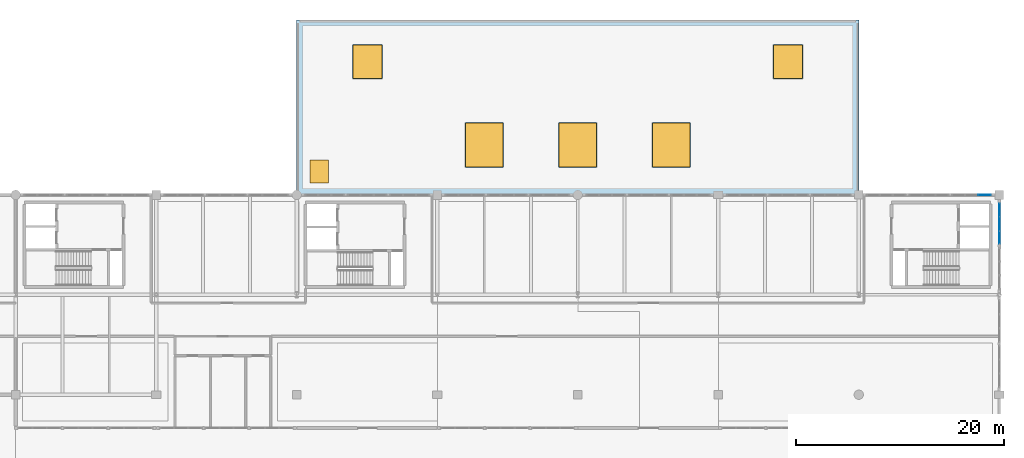
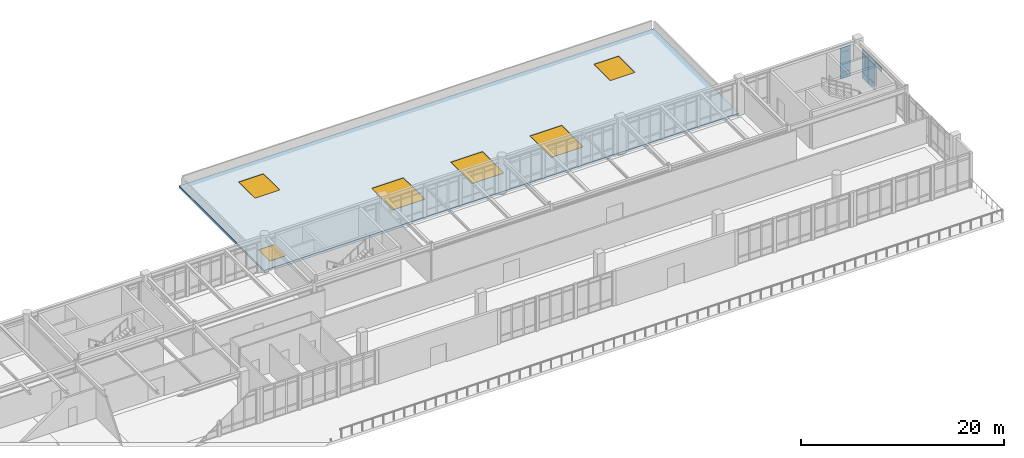
# One storey, part 46 of 55: 10 plates, 6 windows, 1 slab, 6 openings, 2 elements without a shape of their own.
"""IFC4 building model written with IfcOpenShell, lengths in metres."""

from ifc_helpers import new_model, si_unit, direction, frame, origin, origin_2d, place, context, subcontext, project, spatial, polyline, rectangle, outline, extrude, material, layer, layer_set, type_object, element, fill, aggregate, save


model = new_model("IFC4")

# Units and contexts
model_context = context("Model", 3, precision=1e-05, world=origin(), true_north=direction((0.0, 1.0)))
body_context = subcontext(model_context, "Body", "Model", "MODEL_VIEW")
ifc_project = project(units=[si_unit("LENGTHUNIT", "METRE"), si_unit("AREAUNIT", "SQUARE_METRE"), si_unit("VOLUMEUNIT", "CUBIC_METRE"), si_unit("PLANEANGLEUNIT", "RADIAN"), si_unit("MASSUNIT", "GRAM", prefix="KILO")], contexts=[model_context])

# Site, building, storey
site_placement = place(None, origin())
site = spatial("IfcSite", under=ifc_project, at=site_placement, CompositionType="ELEMENT")
building_placement = place(site_placement, origin())
building = spatial("IfcBuilding", under=site, at=building_placement, Name="Fikremerkos Civic Library", CompositionType="ELEMENT")
storey_placement = place(building_placement, frame((0.0, 0.0, 18.89990234375)))
storey = spatial("IfcBuildingStorey", under=building, at=storey_placement, Name="L04", CompositionType="ELEMENT", Elevation=18.89990234375)

# Curtain wall, plates
ifc_material_1 = material(Name="Anodized aluminium Frame", Category="aluminium")
ifc_layer_1 = layer(ifc_material_1, 0.159912109375, Name="Anodized aluminium Frame")
ifc_layer_set_1 = layer_set([ifc_layer_1], Name="Anodized aluminium Frame")
curtain_wall_type_1 = type_object("IfcCurtainWallType", Name="Unitised curtain wall CW-15 2900x3600", PredefinedType="USERDEFINED", material=ifc_layer_set_1)
curtain_wall_1_placement = place(storey_placement, origin())
curtain_wall_1 = element("IfcCurtainWall", 1, at=curtain_wall_1_placement, inside=storey, type_object=curtain_wall_type_1, Name="Unitised curtain wall CW-15 L04 #249", ObjectType="UNITISED CURTAIN WALL", PredefinedType="USERDEFINED")
ifc_material_2 = material(Name="Insulated aluminium spandrel", Category="aluminium")
ifc_layer_2 = layer(ifc_material_2, 0.044921875, Name="Insulated aluminium spandrel")
ifc_layer_set_2 = layer_set([ifc_layer_2], Name="Insulated aluminium spandrel")
plate_type_1 = type_object("IfcPlateType", Name="Curtain spandrel panel CSP-01 45", PredefinedType="CURTAIN_PANEL", material=ifc_layer_set_2)
plate_1_placement = place(storey_placement, frame((112.27978515625, 31.199951171875, 0.070068359375), z_axis=(0.0, 0.0, 1.0), x_axis=(1.0, 0.0, 0.0)))
plate_1 = element("IfcPlate", 2, at=plate_1_placement, type_object=plate_type_1, Name="CW-15 panel 3.1", PredefinedType="CURTAIN_PANEL", context=body_context, shape_type="SweptSolid", body=[
    extrude(rectangle(XDim=1.17431640625, YDim=0.044921875, at=origin_2d()), origin(), (0.0, 0.0, 1.0), 0.7451171875),
])
plate_2_placement = place(storey_placement, frame((112.27978515625, 31.199951171875, 0.885009765625), z_axis=(0.0, 0.0, 1.0), x_axis=(1.0, 0.0, 0.0)))
plate_2 = element("IfcPlate", 3, at=plate_2_placement, type_object=plate_type_1, Name="CW-15 panel 3.2", PredefinedType="CURTAIN_PANEL", context=body_context, shape_type="SweptSolid", body=[
    extrude(rectangle(XDim=1.17431640625, YDim=0.044921875, at=origin_2d()), origin(), (0.0, 0.0, 1.0), 2.3701171875),
])
plate_3_placement = place(storey_placement, frame((112.27978515625, 31.199951171875, 3.3251953125), z_axis=(0.0, 0.0, 1.0), x_axis=(1.0, 0.0, 0.0)))
plate_3 = element("IfcPlate", 4, at=plate_3_placement, type_object=plate_type_1, Name="CW-15 panel 3.3", PredefinedType="CURTAIN_PANEL", context=body_context, shape_type="SweptSolid", body=[
    extrude(rectangle(XDim=1.17431640625, YDim=0.044921875, at=origin_2d()), origin(), (0.0, 0.0, 1.0), 0.445068359375),
])
aggregate(curtain_wall_1, [plate_1, plate_2, plate_3])

ifc_layer_3 = layer(ifc_material_1, 0.159912109375, Name="Anodized aluminium Frame")
ifc_layer_set_3 = layer_set([ifc_layer_3], Name="Anodized aluminium Frame")
curtain_wall_type_2 = type_object("IfcCurtainWallType", Name="Unitised curtain wall CW-12 4300x3400", PredefinedType="USERDEFINED", material=ifc_layer_set_3)
curtain_wall_2_placement = place(storey_placement, origin())
curtain_wall_2 = element("IfcCurtainWall", 5, at=curtain_wall_2_placement, inside=storey, type_object=curtain_wall_type_2, Name="Unitised curtain wall CW-12 L04 #210", ObjectType="UNITISED CURTAIN WALL", PredefinedType="USERDEFINED")
ifc_layer_4 = layer(ifc_material_2, 0.054931640625, Name="Insulated aluminium spandrel")
ifc_layer_set_4 = layer_set([ifc_layer_4], Name="Insulated aluminium spandrel")
plate_type_2 = type_object("IfcPlateType", Name="Curtain spandrel panel CSP-02 55", PredefinedType="CURTAIN_PANEL", material=ifc_layer_set_4)
plate_4_placement = place(storey_placement, frame((113.699951171875, 29.7451171875, 0.065185546875), z_axis=(0.0, 0.0, 1.0), x_axis=(0.0, -1.0, 0.0)))
plate_4 = element("IfcPlate", 6, at=plate_4_placement, type_object=plate_type_2, Name="CW-12 panel 1.1", PredefinedType="CURTAIN_PANEL", context=body_context, shape_type="SweptSolid", body=[
    extrude(rectangle(XDim=1.24365234375, YDim=0.054931640625, at=origin_2d()), origin(), (0.0, 0.0, 1.0), 0.75244140625),
])
plate_5_placement = place(storey_placement, frame((113.699951171875, 29.7451171875, 0.882568359375), z_axis=(0.0, 0.0, 1.0), x_axis=(0.0, -1.0, 0.0)))
plate_5 = element("IfcPlate", 7, at=plate_5_placement, type_object=plate_type_2, Name="CW-12 panel 1.2", PredefinedType="CURTAIN_PANEL", context=body_context, shape_type="SweptSolid", body=[
    extrude(rectangle(XDim=1.24365234375, YDim=0.054931640625, at=origin_2d()), origin(), (0.0, 0.0, 1.0), 2.1650390625),
])
plate_6_placement = place(storey_placement, frame((113.699951171875, 29.7451171875, 3.11279296875), z_axis=(0.0, 0.0, 1.0), x_axis=(0.0, -1.0, 0.0)))
plate_6 = element("IfcPlate", 8, at=plate_6_placement, type_object=plate_type_2, Name="CW-12 panel 1.3", PredefinedType="CURTAIN_PANEL", context=body_context, shape_type="SweptSolid", body=[
    extrude(rectangle(XDim=1.24365234375, YDim=0.054931640625, at=origin_2d()), origin(), (0.0, 0.0, 1.0), 0.452392578125),
])
plate_7_placement = place(storey_placement, frame((113.699951171875, 28.4267578125, 0.065185546875), z_axis=(0.0, 0.0, 1.0), x_axis=(0.0, -1.0, 0.0)))
plate_7 = element("IfcPlate", 9, at=plate_7_placement, type_object=plate_type_2, Name="CW-12 panel 2.1", PredefinedType="CURTAIN_PANEL", context=body_context, shape_type="SweptSolid", body=[
    extrude(rectangle(XDim=1.2734375, YDim=0.054931640625, at=origin_2d()), origin(), (0.0, 0.0, 1.0), 0.75244140625),
])
plate_8_placement = place(storey_placement, frame((113.699951171875, 28.4267578125, 0.882568359375), z_axis=(0.0, 0.0, 1.0), x_axis=(0.0, -1.0, 0.0)))
plate_8 = element("IfcPlate", 10, at=plate_8_placement, type_object=plate_type_2, Name="CW-12 panel 2.2", PredefinedType="CURTAIN_PANEL", context=body_context, shape_type="SweptSolid", body=[
    extrude(rectangle(XDim=1.2734375, YDim=0.054931640625, at=origin_2d()), origin(), (0.0, 0.0, 1.0), 2.1650390625),
])
plate_9_placement = place(storey_placement, frame((113.699951171875, 28.4267578125, 3.11279296875), z_axis=(0.0, 0.0, 1.0), x_axis=(0.0, -1.0, 0.0)))
plate_9 = element("IfcPlate", 11, at=plate_9_placement, type_object=plate_type_2, Name="CW-12 panel 2.3", PredefinedType="CURTAIN_PANEL", context=body_context, shape_type="SweptSolid", body=[
    extrude(rectangle(XDim=1.2734375, YDim=0.054931640625, at=origin_2d()), origin(), (0.0, 0.0, 1.0), 0.452392578125),
])
plate_10_placement = place(storey_placement, frame((113.699951171875, 27.108154296875, 3.11279296875), z_axis=(0.0, 0.0, 1.0), x_axis=(0.0, -1.0, 0.0)))
plate_10 = element("IfcPlate", 12, at=plate_10_placement, type_object=plate_type_2, Name="CW-12 panel 3.3", PredefinedType="CURTAIN_PANEL", context=body_context, shape_type="SweptSolid", body=[
    extrude(rectangle(XDim=1.24365234375, YDim=0.054931640625, at=origin_2d()), origin(), (0.0, 0.0, 1.0), 0.452392578125),
])
aggregate(curtain_wall_2, [plate_4, plate_5, plate_6, plate_7, plate_8, plate_9, plate_10])

# Slab, openings, windows
ifc_material_3 = material(Name="Concrete C40/50", Category="concrete")
ifc_layer_5 = layer(ifc_material_3, 0.280029296875, Name="Concrete C40/50")
ifc_layer_set_5 = layer_set([ifc_layer_5], Name="Concrete C40/50")
slab_type = type_object("IfcSlabType", Name="Wing roof slab WRS-01 280", PredefinedType="ROOF", material=ifc_layer_set_5)
slab_placement = place(storey_placement, frame((0.0, 0.0, -0.27978515625)))
slab = element("IfcSlab", 13, at=slab_placement, inside=storey, type_object=slab_type, Name="Wing roof slab WRS-01 RF-L04-V4A", PredefinedType="ROOF", context=body_context, shape_type="SweptSolid", body=[
    extrude(outline(polyline([(46.199951171875, 31.199951171875), (100.199951171875, 31.199951171875), (100.199951171875, 48.0), (46.199951171875, 48.0), (46.199951171875, 31.199951171875)])), origin(), (0.0, 0.0, 1.0), 0.27978515625),
])
opening_1_placement = place(slab_placement, frame((64.199951171875, 36.0, 0.0)))
opening_1 = element("IfcOpeningElement", 14, at=opening_1_placement, cuts=slab, Name="Opening SKY-03", PredefinedType="OPENING", context=body_context, shape_type="SweptSolid", body=[
    extrude(rectangle(XDim=3.60009765625, YDim=4.199951171875, at=origin_2d()), frame((0.0, 0.0, -0.010009765625), z_axis=(0.0, 0.0, 1.0), x_axis=(1.0, 0.0, 0.0)), (0.0, 0.0, 1.0), 0.2998046875),
])
opening_2_placement = place(slab_placement, frame((73.199951171875, 36.0, 0.0)))
opening_2 = element("IfcOpeningElement", 15, at=opening_2_placement, cuts=slab, Name="Opening SKY-01", PredefinedType="OPENING", context=body_context, shape_type="SweptSolid", body=[
    extrude(rectangle(XDim=3.60009765625, YDim=4.199951171875, at=origin_2d()), frame((0.0, 0.0, -0.010009765625), z_axis=(0.0, 0.0, 1.0), x_axis=(1.0, 0.0, 0.0)), (0.0, 0.0, 1.0), 0.2998046875),
])
opening_3_placement = place(slab_placement, frame((82.199951171875, 36.0, 0.0)))
opening_3 = element("IfcOpeningElement", 16, at=opening_3_placement, cuts=slab, Name="Opening SKY-02", PredefinedType="OPENING", context=body_context, shape_type="SweptSolid", body=[
    extrude(rectangle(XDim=3.60009765625, YDim=4.199951171875, at=origin_2d()), frame((0.0, 0.0, -0.010009765625), z_axis=(0.0, 0.0, 1.0), x_axis=(1.0, 0.0, 0.0)), (0.0, 0.0, 1.0), 0.2998046875),
])
opening_4_placement = place(slab_placement, frame((53.0, 44.0, 0.0)))
opening_4 = element("IfcOpeningElement", 17, at=opening_4_placement, cuts=slab, Name="Opening SKY-03", PredefinedType="OPENING", context=body_context, shape_type="SweptSolid", body=[
    extrude(rectangle(XDim=2.800048828125, YDim=3.199951171875, at=origin_2d()), frame((0.0, 0.0, -0.010009765625), z_axis=(0.0, 0.0, 1.0), x_axis=(1.0, 0.0, 0.0)), (0.0, 0.0, 1.0), 0.2998046875),
])
opening_5_placement = place(slab_placement, frame((93.39990234375, 44.0, 0.0)))
opening_5 = element("IfcOpeningElement", 18, at=opening_5_placement, cuts=slab, Name="Opening SKY-01", PredefinedType="OPENING", context=body_context, shape_type="SweptSolid", body=[
    extrude(rectangle(XDim=2.800048828125, YDim=3.199951171875, at=origin_2d()), frame((0.0, 0.0, -0.010009765625), z_axis=(0.0, 0.0, 1.0), x_axis=(1.0, 0.0, 0.0)), (0.0, 0.0, 1.0), 0.2998046875),
])
opening_6_placement = place(slab_placement, frame((48.35009765625, 33.449951171875, 0.0)))
opening_6 = element("IfcOpeningElement", 19, at=opening_6_placement, cuts=slab, Name="Opening SKY-06", PredefinedType="OPENING", context=body_context, shape_type="SweptSolid", body=[
    extrude(rectangle(XDim=1.800048828125, YDim=2.199951171875, at=origin_2d()), frame((0.0, 0.0, -0.010009765625), z_axis=(0.0, 0.0, 1.0), x_axis=(1.0, 0.0, 0.0)), (0.0, 0.0, 1.0), 0.2998046875),
])
ifc_material_4 = material(Name="Laminated solar control skylight glazing", Category="glass")
window_type_1 = type_object("IfcWindowType", Name="Roof skylight SKY-01 3600x4200", PartitioningType="SINGLE_PANEL", PredefinedType="SKYLIGHT", material=ifc_material_4)
window_1_placement = place(opening_2_placement, frame((0.0, 0.0, 0.21484375)))
window_1 = element("IfcWindow", 20, at=window_1_placement, inside=storey, type_object=window_type_1, Name="Atrium roof skylight SKY-01 #4", OverallHeight=4.199951171875, OverallWidth=3.60009765625, PartitioningType="SINGLE_PANEL", PredefinedType="SKYLIGHT", context=body_context, shape_type="SweptSolid", body=[
    extrude(rectangle(XDim=3.60009765625, YDim=4.199951171875, at=origin_2d()), origin(), (0.0, 0.0, 1.0), 0.06494140625),
])
fill(opening_2, window_1)
window_2_placement = place(opening_5_placement, frame((0.0, 0.0, 0.21484375)))
window_2 = element("IfcWindow", 21, at=window_2_placement, inside=storey, type_object=window_type_1, Name="Atrium roof skylight SKY-01 #7", OverallHeight=3.199951171875, OverallWidth=2.800048828125, PartitioningType="SINGLE_PANEL", PredefinedType="SKYLIGHT", context=body_context, shape_type="SweptSolid", body=[
    extrude(rectangle(XDim=2.800048828125, YDim=3.199951171875, at=origin_2d()), origin(), (0.0, 0.0, 1.0), 0.06494140625),
])
fill(opening_5, window_2)
window_type_2 = type_object("IfcWindowType", Name="Roof skylight SKY-02 2800x3200", PartitioningType="SINGLE_PANEL", PredefinedType="SKYLIGHT", material=ifc_material_4)
window_3_placement = place(opening_3_placement, frame((0.0, 0.0, 0.21484375)))
window_3 = element("IfcWindow", 22, at=window_3_placement, inside=storey, type_object=window_type_2, Name="Atrium roof skylight SKY-02 #5", OverallHeight=4.199951171875, OverallWidth=3.60009765625, PartitioningType="SINGLE_PANEL", PredefinedType="SKYLIGHT", context=body_context, shape_type="SweptSolid", body=[
    extrude(rectangle(XDim=3.60009765625, YDim=4.199951171875, at=origin_2d()), origin(), (0.0, 0.0, 1.0), 0.06494140625),
])
fill(opening_3, window_3)
window_type_3 = type_object("IfcWindowType", Name="Roof skylight SKY-03 2400x3000", PartitioningType="SINGLE_PANEL", PredefinedType="SKYLIGHT", material=ifc_material_4)
window_4_placement = place(opening_1_placement, frame((0.0, 0.0, 0.21484375)))
window_4 = element("IfcWindow", 23, at=window_4_placement, inside=storey, type_object=window_type_3, Name="Atrium roof skylight SKY-03 #3", OverallHeight=4.199951171875, OverallWidth=3.60009765625, PartitioningType="SINGLE_PANEL", PredefinedType="SKYLIGHT", context=body_context, shape_type="SweptSolid", body=[
    extrude(rectangle(XDim=3.60009765625, YDim=4.199951171875, at=origin_2d()), origin(), (0.0, 0.0, 1.0), 0.06494140625),
])
fill(opening_1, window_4)
window_5_placement = place(opening_4_placement, frame((0.0, 0.0, 0.21484375)))
window_5 = element("IfcWindow", 24, at=window_5_placement, inside=storey, type_object=window_type_3, Name="Atrium roof skylight SKY-03 #6", OverallHeight=3.199951171875, OverallWidth=2.800048828125, PartitioningType="SINGLE_PANEL", PredefinedType="SKYLIGHT", context=body_context, shape_type="SweptSolid", body=[
    extrude(rectangle(XDim=2.800048828125, YDim=3.199951171875, at=origin_2d()), origin(), (0.0, 0.0, 1.0), 0.06494140625),
])
fill(opening_4, window_5)
window_type_4 = type_object("IfcWindowType", Name="Roof skylight SKY-06 1800x2200", PartitioningType="SINGLE_PANEL", PredefinedType="SKYLIGHT", material=ifc_material_4)
window_6_placement = place(opening_6_placement, frame((0.0, 0.0, 0.21484375)))
window_6 = element("IfcWindow", 25, at=window_6_placement, inside=storey, type_object=window_type_4, Name="Maintenance roof access skylight hatch SKY-06 RF-L04-V4A", OverallHeight=2.199951171875, OverallWidth=1.800048828125, PartitioningType="SINGLE_PANEL", PredefinedType="SKYLIGHT", context=body_context, shape_type="SweptSolid", body=[
    extrude(rectangle(XDim=1.800048828125, YDim=2.199951171875, at=origin_2d()), origin(), (0.0, 0.0, 1.0), 0.06494140625),
])
fill(opening_6, window_6)

save(model, "model.ifc")
